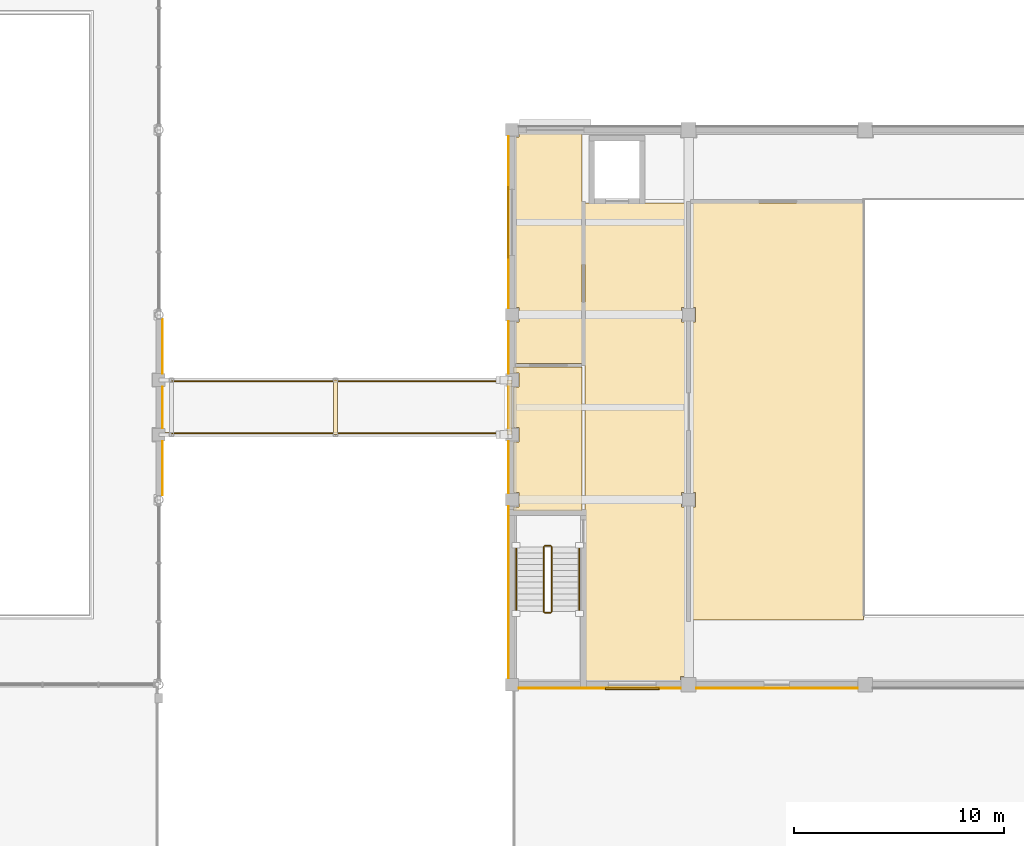
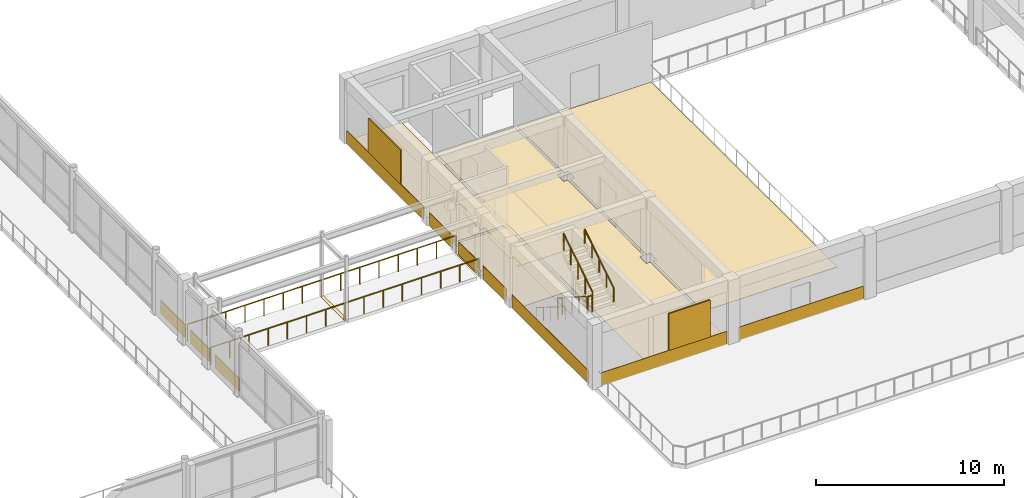
# One storey, part 45 of 57: 17 coverings, 8 railings, 2 shading devices.
"""IFC4 building model written with IfcOpenShell, lengths in metres."""

from ifc_helpers import new_model, si_unit, direction, frame, origin, origin_2d, place, context, subcontext, project, spatial, polyline, rectangle, circle, outline, extrude, material, layer, layer_set, type_object, element, save


model = new_model("IFC4")

# Units and contexts
model_context = context("Model", 3, precision=1e-05, world=origin(), true_north=direction((0.0, 1.0)))
body_context = subcontext(model_context, "Body", "Model", "MODEL_VIEW")
ifc_project = project(units=[si_unit("LENGTHUNIT", "METRE"), si_unit("AREAUNIT", "SQUARE_METRE"), si_unit("VOLUMEUNIT", "CUBIC_METRE"), si_unit("PLANEANGLEUNIT", "RADIAN"), si_unit("MASSUNIT", "GRAM", prefix="KILO")], contexts=[model_context])

# Site, building, storey
site_placement = place(None, origin())
site = spatial("IfcSite", under=ifc_project, at=site_placement, CompositionType="ELEMENT")
building_placement = place(site_placement, origin())
building = spatial("IfcBuilding", under=site, at=building_placement, Name="Kemercrest Conservatory and Botanical Centre", CompositionType="ELEMENT")
storey_placement = place(building_placement, frame((0.0, 0.0, 4.800048828125)))
storey = spatial("IfcBuildingStorey", under=building, at=storey_placement, Name="L01", CompositionType="ELEMENT", Elevation=4.800048828125)

# Coverings
ifc_material_1 = material(Name="Glazed turquoise ceramic tile spandrel", Category="masonry")
ifc_layer_1 = layer(ifc_material_1, 0.028076171875)
ifc_layer_set_1 = layer_set([ifc_layer_1], Name="Glazed turquoise ceramic tile spandrel")
covering_type_1 = type_object("IfcCoveringType", Name="CV-CLD028", PredefinedType="CLADDING", material=ifc_layer_set_1)
covering_1_placement = place(storey_placement, origin())
element("IfcCovering", 1, at=covering_1_placement, inside=storey, type_object=covering_type_1, Name="Exterior stone spandrel cladding (WAL:L01:EXT-037)", PredefinedType="CLADDING", context=body_context, shape_type="SweptSolid", body=[
    extrude(outline(polyline([(58.7099609375, 16.64990234375), (58.7099609375, 16.6220703125), (66.43994140625, 16.6220703125), (66.43994140625, 16.64990234375), (58.7099609375, 16.64990234375)])), origin(), (0.0, 0.0, 1.0), 0.849853515625),
])
covering_2_placement = place(storey_placement, origin())
element("IfcCovering", 2, at=covering_2_placement, inside=storey, type_object=covering_type_1, Name="Exterior stone spandrel cladding (WAL:L01:EXT-038)", PredefinedType="CLADDING", context=body_context, shape_type="SweptSolid", body=[
    extrude(outline(polyline([(67.159912109375, 16.64990234375), (67.159912109375, 16.6220703125), (74.840087890625, 16.6220703125), (74.840087890625, 16.64990234375), (67.159912109375, 16.64990234375)])), origin(), (0.0, 0.0, 1.0), 0.849853515625),
])
covering_3_placement = place(storey_placement, origin())
element("IfcCovering", 3, at=covering_3_placement, inside=storey, type_object=covering_type_1, Name="Exterior stone spandrel cladding (WAL:L01:EXT-050)", PredefinedType="CLADDING", context=body_context, shape_type="SweptSolid", body=[
    extrude(outline(polyline([(58.25, 42.889892578125), (58.221923828125, 42.889892578125), (58.221923828125, 34.7099609375), (58.25, 34.7099609375), (58.25, 42.889892578125)])), origin(), (0.0, 0.0, 1.0), 0.849853515625),
])
covering_4_placement = place(storey_placement, origin())
element("IfcCovering", 4, at=covering_4_placement, inside=storey, type_object=covering_type_1, Name="Exterior stone spandrel cladding (WAL:L01:EXT-051-S1)", PredefinedType="CLADDING", context=body_context, shape_type="SweptSolid", body=[
    extrude(outline(polyline([(58.25, 34.090087890625), (58.221923828125, 34.090087890625), (58.221923828125, 31.610107421875), (58.25, 31.610107421875), (58.25, 34.090087890625)])), origin(), (0.0, 0.0, 1.0), 0.849853515625),
])
covering_5_placement = place(storey_placement, origin())
element("IfcCovering", 5, at=covering_5_placement, inside=storey, type_object=covering_type_1, Name="Exterior stone spandrel cladding (WAL:L01:EXT-051-S2)", PredefinedType="CLADDING", context=body_context, shape_type="SweptSolid", body=[
    extrude(outline(polyline([(58.25, 30.989990234375), (58.221923828125, 30.989990234375), (58.221923828125, 29.010009765625), (58.25, 29.010009765625), (58.25, 30.989990234375)])), origin(), (0.0, 0.0, 1.0), 0.849853515625),
])
covering_6_placement = place(storey_placement, origin())
element("IfcCovering", 6, at=covering_6_placement, inside=storey, type_object=covering_type_1, Name="Exterior stone spandrel cladding (WAL:L01:EXT-051-S3)", PredefinedType="CLADDING", context=body_context, shape_type="SweptSolid", body=[
    extrude(outline(polyline([(58.25, 28.389892578125), (58.221923828125, 28.389892578125), (58.221923828125, 25.909912109375), (58.25, 25.909912109375), (58.25, 28.389892578125)])), origin(), (0.0, 0.0, 1.0), 0.849853515625),
])
covering_7_placement = place(storey_placement, origin())
element("IfcCovering", 7, at=covering_7_placement, inside=storey, type_object=covering_type_1, Name="Exterior stone spandrel cladding (WAL:L01:EXT-052)", PredefinedType="CLADDING", context=body_context, shape_type="SweptSolid", body=[
    extrude(outline(polyline([(58.25, 25.2900390625), (58.221923828125, 25.2900390625), (58.221923828125, 17.110107421875), (58.25, 17.110107421875), (58.25, 25.2900390625)])), origin(), (0.0, 0.0, 1.0), 0.849853515625),
])
ifc_material_2 = material(Name="Honed limestone almasik ashlar rainscreen", Category="masonry")
ifc_layer_2 = layer(ifc_material_2, 0.0400390625)
ifc_layer_set_2 = layer_set([ifc_layer_2], Name="Honed limestone almasik ashlar rainscreen")
covering_type_2 = type_object("IfcCoveringType", Name="CV-CLD040", PredefinedType="CLADDING", material=ifc_layer_set_2)
covering_8_placement = place(storey_placement, origin())
element("IfcCovering", 8, at=covering_8_placement, inside=storey, type_object=covering_type_2, Name="Exterior stone spandrel cladding (WAL:L01:EXT-014-S1)", PredefinedType="CLADDING", context=body_context, shape_type="SweptSolid", body=[
    extrude(outline(polyline([(41.75, 25.813232421875), (41.7900390625, 25.813232421875), (41.7900390625, 28.389892578125), (41.75, 28.389892578125), (41.75, 25.813232421875)])), origin(), (0.0, 0.0, 1.0), 0.849853515625),
])
covering_9_placement = place(storey_placement, origin())
element("IfcCovering", 9, at=covering_9_placement, inside=storey, type_object=covering_type_2, Name="Exterior stone spandrel cladding (WAL:L01:EXT-014-S2)", PredefinedType="CLADDING", context=body_context, shape_type="SweptSolid", body=[
    extrude(outline(polyline([(41.75, 29.010009765625), (41.7900390625, 29.010009765625), (41.7900390625, 30.989990234375), (41.75, 30.989990234375), (41.75, 29.010009765625)])), origin(), (0.0, 0.0, 1.0), 0.849853515625),
])
covering_10_placement = place(storey_placement, origin())
element("IfcCovering", 10, at=covering_10_placement, inside=storey, type_object=covering_type_2, Name="Exterior stone spandrel cladding (WAL:L01:EXT-014-S3)", PredefinedType="CLADDING", context=body_context, shape_type="SweptSolid", body=[
    extrude(outline(polyline([(41.75, 31.610107421875), (41.7900390625, 31.610107421875), (41.7900390625, 34.186767578125), (41.75, 34.186767578125), (41.75, 31.610107421875)])), origin(), (0.0, 0.0, 1.0), 0.849853515625),
])
ifc_material_3 = material(Name="Perforated acoustic gypsum and mineral-fibre suspended ceiling", Category="gypsum")
ifc_layer_3 = layer(ifc_material_3, 0.034912109375)
ifc_layer_set_3 = layer_set([ifc_layer_3], Name="Perforated acoustic gypsum and mineral-fibre suspended ceiling")
covering_type_3 = type_object("IfcCoveringType", Name="CV-CLG035", PredefinedType="CEILING", material=ifc_layer_set_3)
covering_11_placement = place(storey_placement, frame((0.0, 0.0, 2.699951171875)))
element("IfcCovering", 11, at=covering_11_placement, inside=storey, type_object=covering_type_3, Name="West Upper Stair Lobby suspended acoustic ceiling", PredefinedType="CEILING", context=body_context, shape_type="SweptSolid", body=[
    extrude(outline(polyline([(58.47998046875, 25.080078125), (61.719970703125, 25.080078125), (61.719970703125, 31.919921875), (58.47998046875, 31.919921875), (58.47998046875, 31.639892578125), (58.739990234375, 31.639892578125), (58.739990234375, 30.9599609375), (58.47998046875, 30.9599609375), (58.47998046875, 29.0400390625), (58.739990234375, 29.0400390625), (58.739990234375, 28.360107421875), (58.47998046875, 28.360107421875), (58.47998046875, 25.93994140625), (58.739990234375, 25.93994140625), (58.739990234375, 25.260009765625), (58.47998046875, 25.260009765625), (58.47998046875, 25.080078125)])), origin(), (0.0, 0.0, 1.0), 0.034912109375),
])
ifc_material_4 = material(Name="Polished limestone terrazzo and seamless laboratory epoxy flooring", Category="masonry")
ifc_layer_4 = layer(ifc_material_4, 0.02001953125)
ifc_layer_set_4 = layer_set([ifc_layer_4], Name="Polished limestone terrazzo and seamless laboratory epoxy flooring")
covering_type_4 = type_object("IfcCoveringType", Name="CV-FLR020", PredefinedType="FLOORING", material=ifc_layer_set_4)
covering_12_placement = place(storey_placement, origin())
element("IfcCovering", 12, at=covering_12_placement, inside=storey, type_object=covering_type_4, Name="Upper Auditorium Concourse Corridor terrazzo floor finish", PredefinedType="FLOORING", context=body_context, shape_type="SweptSolid", body=[
    extrude(outline(polyline([(61.8798828125, 16.8798828125), (66.409912109375, 16.8798828125), (66.409912109375, 17.18994140625), (66.719970703125, 17.18994140625), (66.719970703125, 25.260009765625), (66.4599609375, 25.260009765625), (66.4599609375, 25.93994140625), (66.719970703125, 25.93994140625), (66.719970703125, 34.06005859375), (66.4599609375, 34.06005859375), (66.4599609375, 34.739990234375), (66.719970703125, 34.739990234375), (66.719970703125, 39.719970703125), (61.8798828125, 39.719970703125), (61.8798828125, 16.8798828125)])), origin(), (0.0, 0.0, 1.0), 0.02001953125),
])
covering_13_placement = place(storey_placement, origin())
element("IfcCovering", 13, at=covering_13_placement, inside=storey, type_object=covering_type_4, Name="West Upper Stair Lobby floor finish", PredefinedType="FLOORING", context=body_context, shape_type="SweptSolid", body=[
    extrude(outline(polyline([(58.47998046875, 25.080078125), (61.719970703125, 25.080078125), (61.719970703125, 31.919921875), (58.47998046875, 31.919921875), (58.47998046875, 31.639892578125), (58.739990234375, 31.639892578125), (58.739990234375, 30.9599609375), (58.47998046875, 30.9599609375), (58.47998046875, 29.0400390625), (58.739990234375, 29.0400390625), (58.739990234375, 28.360107421875), (58.47998046875, 28.360107421875), (58.47998046875, 25.93994140625), (58.739990234375, 25.93994140625), (58.739990234375, 25.260009765625), (58.47998046875, 25.260009765625), (58.47998046875, 25.080078125)])), origin(), (0.0, 0.0, 1.0), 0.02001953125),
])
covering_14_placement = place(storey_placement, origin())
element("IfcCovering", 14, at=covering_14_placement, inside=storey, type_object=covering_type_4, Name="Upper Auditorium Accessible Washroom terrazzo floor finish", PredefinedType="FLOORING", context=body_context, shape_type="SweptSolid", body=[
    extrude(outline(polyline([(58.47998046875, 32.080078125), (61.719970703125, 32.080078125), (61.719970703125, 43.1201171875), (58.739990234375, 43.1201171875), (58.739990234375, 42.860107421875), (58.47998046875, 42.860107421875), (58.47998046875, 34.739990234375), (58.739990234375, 34.739990234375), (58.739990234375, 34.06005859375), (58.47998046875, 34.06005859375), (58.47998046875, 32.080078125)])), origin(), (0.0, 0.0, 1.0), 0.02001953125),
])
covering_15_placement = place(storey_placement, origin())
element("IfcCovering", 15, at=covering_15_placement, inside=storey, type_object=covering_type_4, Name="Auditorium Seating Gallery terrazzo floor finish", PredefinedType="FLOORING", context=body_context, shape_type="SweptSolid", body=[
    extrude(outline(polyline([(66.8798828125, 19.8798828125), (75.1201171875, 19.8798828125), (75.1201171875, 39.719970703125), (66.8798828125, 39.719970703125), (66.8798828125, 34.739990234375), (67.139892578125, 34.739990234375), (67.139892578125, 34.06005859375), (66.8798828125, 34.06005859375), (66.8798828125, 25.93994140625), (67.139892578125, 25.93994140625), (67.139892578125, 25.260009765625), (66.8798828125, 25.260009765625), (66.8798828125, 19.8798828125)])), origin(), (0.0, 0.0, 1.0), 0.02001953125),
])
covering_16_placement = place(storey_placement, frame((0.0, 0.0, -0.02001953125)))
element("IfcCovering", 16, at=covering_16_placement, inside=storey, type_object=covering_type_4, Name="Seismic bridge SJ-1 architectural floor slide plate", PredefinedType="FLOORING", context=body_context, shape_type="SweptSolid", body=[
    extrude(outline(polyline([(49.89990234375, 28.699951171875), (50.10009765625, 28.699951171875), (50.10009765625, 31.300048828125), (49.89990234375, 31.300048828125), (49.89990234375, 28.699951171875)])), origin(), (0.0, 0.0, 1.0), 0.02001953125),
])
covering_17_placement = place(storey_placement, frame((0.0, 0.0, -0.02001953125)))
element("IfcCovering", 17, at=covering_17_placement, inside=storey, type_object=covering_type_4, Name="Seismic bridge SJ-1 architectural floor slide plate", PredefinedType="FLOORING", context=body_context, shape_type="SweptSolid", body=[
    extrude(outline(polyline([(58.14990234375, 28.699951171875), (58.39990234375, 28.699951171875), (58.39990234375, 31.300048828125), (58.14990234375, 31.300048828125), (58.14990234375, 28.699951171875)])), origin(), (0.0, 0.0, 1.0), 0.02001953125),
])

# Railings
ifc_material_5 = material(Name="Architectural bronze-anodized steel balustrade", Category="steel")
railing_type_1 = type_object("IfcRailingType", Name="GR-BRG112", PredefinedType="GUARDRAIL", material=ifc_material_5)
railing_1_placement = place(storey_placement, frame((41.699951171875, 28.760009765625, 0.0)))
element("IfcRailing", 18, at=railing_1_placement, inside=storey, type_object=railing_type_1, Name="Seismic bridge SJ-1 side guardrail 1", PredefinedType="GUARDRAIL", context=body_context, shape_type="SweptSolid", body=[
    extrude(circle(Radius=0.02392578125, at=origin_2d()), frame((0.0, 0.0, 1.09619140625), z_axis=(1.0, 0.0, 0.0), x_axis=(0.0, 1.0, 0.0)), (0.0, 0.0, 1.0), 16.5),
    extrude(circle(Radius=0.02099609375, at=origin_2d()), origin(), (0.0, 0.0, 1.0), 1.072021484375),
    extrude(circle(Radius=0.02099609375, at=origin_2d()), frame((1.178466796875, 0.0, 0.0)), (0.0, 0.0, 1.0), 1.072021484375),
    extrude(circle(Radius=0.02099609375, at=origin_2d()), frame((2.357177734375, 0.0, 0.0)), (0.0, 0.0, 1.0), 1.072021484375),
    extrude(circle(Radius=0.02099609375, at=origin_2d()), frame((3.53564453125, 0.0, 0.0)), (0.0, 0.0, 1.0), 1.072021484375),
    extrude(circle(Radius=0.02099609375, at=origin_2d()), frame((4.71435546875, 0.0, 0.0)), (0.0, 0.0, 1.0), 1.072021484375),
    extrude(circle(Radius=0.02099609375, at=origin_2d()), frame((5.892822265625, 0.0, 0.0)), (0.0, 0.0, 1.0), 1.072021484375),
    extrude(circle(Radius=0.02099609375, at=origin_2d()), frame((7.071533203125, 0.0, 0.0)), (0.0, 0.0, 1.0), 1.072021484375),
    extrude(circle(Radius=0.02099609375, at=origin_2d()), frame((8.25, 0.0, 0.0)), (0.0, 0.0, 1.0), 1.072021484375),
    extrude(circle(Radius=0.02099609375, at=origin_2d()), frame((9.428466796875, 0.0, 0.0)), (0.0, 0.0, 1.0), 1.072021484375),
    extrude(circle(Radius=0.02099609375, at=origin_2d()), frame((10.607177734375, 0.0, 0.0)), (0.0, 0.0, 1.0), 1.072021484375),
    extrude(circle(Radius=0.02099609375, at=origin_2d()), frame((11.78564453125, 0.0, 0.0)), (0.0, 0.0, 1.0), 1.072021484375),
    extrude(circle(Radius=0.02099609375, at=origin_2d()), frame((12.96435546875, 0.0, 0.0)), (0.0, 0.0, 1.0), 1.072021484375),
    extrude(circle(Radius=0.02099609375, at=origin_2d()), frame((14.142822265625, 0.0, 0.0)), (0.0, 0.0, 1.0), 1.072021484375),
    extrude(circle(Radius=0.02099609375, at=origin_2d()), frame((15.321533203125, 0.0, 0.0)), (0.0, 0.0, 1.0), 1.072021484375),
    extrude(circle(Radius=0.02099609375, at=origin_2d()), frame((16.5, 0.0, 0.0)), (0.0, 0.0, 1.0), 1.072021484375),
])
railing_2_placement = place(storey_placement, frame((41.699951171875, 31.239990234375, 0.0)))
element("IfcRailing", 19, at=railing_2_placement, inside=storey, type_object=railing_type_1, Name="Seismic bridge SJ-1 side guardrail 2", PredefinedType="GUARDRAIL", context=body_context, shape_type="SweptSolid", body=[
    extrude(circle(Radius=0.02392578125, at=origin_2d()), frame((0.0, 0.0, 1.09619140625), z_axis=(1.0, 0.0, 0.0), x_axis=(0.0, 1.0, 0.0)), (0.0, 0.0, 1.0), 16.5),
    extrude(circle(Radius=0.02099609375, at=origin_2d()), origin(), (0.0, 0.0, 1.0), 1.072021484375),
    extrude(circle(Radius=0.02099609375, at=origin_2d()), frame((1.178466796875, 0.0, 0.0)), (0.0, 0.0, 1.0), 1.072021484375),
    extrude(circle(Radius=0.02099609375, at=origin_2d()), frame((2.357177734375, 0.0, 0.0)), (0.0, 0.0, 1.0), 1.072021484375),
    extrude(circle(Radius=0.02099609375, at=origin_2d()), frame((3.53564453125, 0.0, 0.0)), (0.0, 0.0, 1.0), 1.072021484375),
    extrude(circle(Radius=0.02099609375, at=origin_2d()), frame((4.71435546875, 0.0, 0.0)), (0.0, 0.0, 1.0), 1.072021484375),
    extrude(circle(Radius=0.02099609375, at=origin_2d()), frame((5.892822265625, 0.0, 0.0)), (0.0, 0.0, 1.0), 1.072021484375),
    extrude(circle(Radius=0.02099609375, at=origin_2d()), frame((7.071533203125, 0.0, 0.0)), (0.0, 0.0, 1.0), 1.072021484375),
    extrude(circle(Radius=0.02099609375, at=origin_2d()), frame((8.25, 0.0, 0.0)), (0.0, 0.0, 1.0), 1.072021484375),
    extrude(circle(Radius=0.02099609375, at=origin_2d()), frame((9.428466796875, 0.0, 0.0)), (0.0, 0.0, 1.0), 1.072021484375),
    extrude(circle(Radius=0.02099609375, at=origin_2d()), frame((10.607177734375, 0.0, 0.0)), (0.0, 0.0, 1.0), 1.072021484375),
    extrude(circle(Radius=0.02099609375, at=origin_2d()), frame((11.78564453125, 0.0, 0.0)), (0.0, 0.0, 1.0), 1.072021484375),
    extrude(circle(Radius=0.02099609375, at=origin_2d()), frame((12.96435546875, 0.0, 0.0)), (0.0, 0.0, 1.0), 1.072021484375),
    extrude(circle(Radius=0.02099609375, at=origin_2d()), frame((14.142822265625, 0.0, 0.0)), (0.0, 0.0, 1.0), 1.072021484375),
    extrude(circle(Radius=0.02099609375, at=origin_2d()), frame((15.321533203125, 0.0, 0.0)), (0.0, 0.0, 1.0), 1.072021484375),
    extrude(circle(Radius=0.02099609375, at=origin_2d()), frame((16.5, 0.0, 0.0)), (0.0, 0.0, 1.0), 1.072021484375),
])
ifc_material_6 = material(Name="Painted galvanized steel tubular stair guardrail", Category="steel")
railing_type_2 = type_object("IfcRailingType", Name="GR-STR110", PredefinedType="GUARDRAIL", material=ifc_material_6)
railing_3_placement = place(storey_placement, frame((59.909912109375, 23.360107421875, 0.175048828125)))
element("IfcRailing", 20, at=railing_3_placement, inside=storey, type_object=railing_type_2, Name="L01 ST-V2A stair guard 1", PredefinedType="GUARDRAIL", context=body_context, shape_type="SweptSolid", body=[
    extrude(circle(Radius=0.02392578125, at=origin_2d()), frame((0.0, 0.0, 1.076171875), z_axis=(0.0, -0.848028513186, 0.529950602248), x_axis=(1.0, 0.0, 0.0)), (0.0, 0.0, 1.0), 3.632080078125),
    extrude(circle(Radius=0.02099609375, at=origin_2d()), origin(), (0.0, 0.0, 1.0), 1.052001953125),
    extrude(circle(Radius=0.02099609375, at=origin_2d()), frame((0.0, -0.77001953125, 0.481201171875)), (0.0, 0.0, 1.0), 1.052001953125),
    extrude(circle(Radius=0.02099609375, at=origin_2d()), frame((0.0, -1.5400390625, 0.96240234375)), (0.0, 0.0, 1.0), 1.052001953125),
    extrude(circle(Radius=0.02099609375, at=origin_2d()), frame((0.0, -2.31005859375, 1.443603515625)), (0.0, 0.0, 1.0), 1.052001953125),
    extrude(circle(Radius=0.02099609375, at=origin_2d()), frame((0.0, -3.080078125, 1.9248046875)), (0.0, 0.0, 1.0), 1.052001953125),
])
railing_4_placement = place(storey_placement, frame((59.9599609375, 20.22998046875, 2.099853515625)))
element("IfcRailing", 21, at=railing_4_placement, inside=storey, type_object=railing_type_2, Name="L01 ST-V2A stair guard 2", PredefinedType="GUARDRAIL", context=body_context, shape_type="SweptSolid", body=[
    extrude(circle(Radius=0.02392578125, at=origin_2d()), frame((0.0, 0.0, 1.076171875), z_axis=(1.0, 0.0, 0.0), x_axis=(0.0, 1.0, 0.0)), (0.0, 0.0, 1.0), 0.280029296875),
    extrude(circle(Radius=0.02099609375, at=origin_2d()), origin(), (0.0, 0.0, 1.0), 1.052001953125),
    extrude(circle(Radius=0.02099609375, at=origin_2d()), frame((0.280029296875, 0.0, 0.0)), (0.0, 0.0, 1.0), 1.052001953125),
])
railing_5_placement = place(storey_placement, frame((60.2900390625, 20.280029296875, 2.27490234375)))
element("IfcRailing", 22, at=railing_5_placement, inside=storey, type_object=railing_type_2, Name="L01 ST-V2A stair guard 3", PredefinedType="GUARDRAIL", context=body_context, shape_type="SweptSolid", body=[
    extrude(circle(Radius=0.02392578125, at=origin_2d()), frame((0.0, 0.0, 1.076171875), z_axis=(0.0, 0.847998304005, 0.529998940003), x_axis=(-1.0, 0.0, 0.0)), (0.0, 0.0, 1.0), 3.632080078125),
    extrude(circle(Radius=0.02099609375, at=origin_2d()), origin(), (0.0, 0.0, 1.0), 1.052001953125),
    extrude(circle(Radius=0.02099609375, at=origin_2d()), frame((0.0, 0.77001953125, 0.481201171875)), (0.0, 0.0, 1.0), 1.052001953125),
    extrude(circle(Radius=0.02099609375, at=origin_2d()), frame((0.0, 1.5400390625, 0.96240234375)), (0.0, 0.0, 1.0), 1.052001953125),
    extrude(circle(Radius=0.02099609375, at=origin_2d()), frame((0.0, 2.31005859375, 1.44384765625)), (0.0, 0.0, 1.0), 1.052001953125),
    extrude(circle(Radius=0.02099609375, at=origin_2d()), frame((0.0, 3.080078125, 1.925048828125)), (0.0, 0.0, 1.0), 1.052001953125),
])
railing_6_placement = place(storey_placement, frame((59.9599609375, 23.409912109375, 0.0)))
element("IfcRailing", 23, at=railing_6_placement, inside=storey, type_object=railing_type_2, Name="L01 ST-V2A stair guard 4", PredefinedType="GUARDRAIL", context=body_context, shape_type="SweptSolid", body=[
    extrude(circle(Radius=0.02392578125, at=origin_2d()), frame((0.0, 0.0, 1.076171875), z_axis=(1.0, 0.0, 0.0), x_axis=(0.0, 1.0, 0.0)), (0.0, 0.0, 1.0), 0.280029296875),
    extrude(circle(Radius=0.02099609375, at=origin_2d()), origin(), (0.0, 0.0, 1.0), 1.052001953125),
    extrude(circle(Radius=0.02099609375, at=origin_2d()), frame((0.280029296875, 0.0, 0.0)), (0.0, 0.0, 1.0), 1.052001953125),
])
ifc_material_7 = material(Name="Brushed stainless steel wall-mounted handrail", Category="steel")
railing_type_3 = type_object("IfcRailingType", Name="HR-STR090", PredefinedType="HANDRAIL", material=ifc_material_7)
railing_7_placement = place(storey_placement, frame((58.610107421875, 23.360107421875, 0.175048828125)))
element("IfcRailing", 24, at=railing_7_placement, inside=storey, type_object=railing_type_3, Name="L01 ST-V2A stair handrail 1", PredefinedType="HANDRAIL", context=body_context, shape_type="SweptSolid", body=[
    extrude(circle(Radius=0.02392578125, at=origin_2d()), frame((0.0, 0.0, 0.8759765625), z_axis=(0.0, -0.848028513186, 0.529950602248), x_axis=(1.0, 0.0, 0.0)), (0.0, 0.0, 1.0), 3.632080078125),
    extrude(circle(Radius=0.02099609375, at=origin_2d()), origin(), (0.0, 0.0, 1.0), 0.851806640625),
    extrude(circle(Radius=0.02099609375, at=origin_2d()), frame((0.0, -0.77001953125, 0.481201171875)), (0.0, 0.0, 1.0), 0.851806640625),
    extrude(circle(Radius=0.02099609375, at=origin_2d()), frame((0.0, -1.5400390625, 0.96240234375)), (0.0, 0.0, 1.0), 0.851806640625),
    extrude(circle(Radius=0.02099609375, at=origin_2d()), frame((0.0, -2.31005859375, 1.443603515625)), (0.0, 0.0, 1.0), 0.851806640625),
    extrude(circle(Radius=0.02099609375, at=origin_2d()), frame((0.0, -3.080078125, 1.9248046875)), (0.0, 0.0, 1.0), 0.851806640625),
])
railing_8_placement = place(storey_placement, frame((61.590087890625, 20.280029296875, 2.27490234375)))
element("IfcRailing", 25, at=railing_8_placement, inside=storey, type_object=railing_type_3, Name="L01 ST-V2A stair handrail 2", PredefinedType="HANDRAIL", context=body_context, shape_type="SweptSolid", body=[
    extrude(circle(Radius=0.02392578125, at=origin_2d()), frame((0.0, 0.0, 0.8759765625), z_axis=(0.0, 0.847998304005, 0.529998940003), x_axis=(-1.0, 0.0, 0.0)), (0.0, 0.0, 1.0), 3.632080078125),
    extrude(circle(Radius=0.02099609375, at=origin_2d()), origin(), (0.0, 0.0, 1.0), 0.851806640625),
    extrude(circle(Radius=0.02099609375, at=origin_2d()), frame((0.0, 0.77001953125, 0.481201171875)), (0.0, 0.0, 1.0), 0.851806640625),
    extrude(circle(Radius=0.02099609375, at=origin_2d()), frame((0.0, 1.5400390625, 0.96240234375)), (0.0, 0.0, 1.0), 0.851806640625),
    extrude(circle(Radius=0.02099609375, at=origin_2d()), frame((0.0, 2.31005859375, 1.44384765625)), (0.0, 0.0, 1.0), 0.851806640625),
    extrude(circle(Radius=0.02099609375, at=origin_2d()), frame((0.0, 3.080078125, 1.925048828125)), (0.0, 0.0, 1.0), 0.851806640625),
])

# Shading devices
ifc_material_8 = material(Name="Perforated bronze-anodized aluminium", Category="aluminium")
shading_device_type_1 = type_object("IfcShadingDeviceType", Name="SH-MS01", PredefinedType="USERDEFINED", material=ifc_material_8)
shading_device_1_placement = place(storey_placement, frame((58.2119140625, 38.800048828125, 0.919921875), z_axis=(0.0, 0.0, 1.0), x_axis=(0.0, -1.0, 0.0)))
element("IfcShadingDevice", 26, at=shading_device_1_placement, inside=storey, type_object=shading_device_type_1, Name="Ottoman mashrabiya perforated screen SH-MS01 (WIN:L01:EXT-050)", ObjectType="MASHRABIYA SCREEN", PredefinedType="USERDEFINED", context=body_context, shape_type="SweptSolid", body=[
    extrude(rectangle(XDim=3.419921875, YDim=0.080078125, at=origin_2d()), origin(), (0.0, 0.0, 1.0), 2.199951171875),
])
shading_device_type_2 = type_object("IfcShadingDeviceType", Name="SH-MS03", PredefinedType="USERDEFINED", material=ifc_material_8)
shading_device_2_placement = place(storey_placement, frame((64.1201171875, 16.612060546875, 0.8798828125), z_axis=(0.0, 0.0, 1.0), x_axis=(1.0, 0.0, 0.0)))
element("IfcShadingDevice", 27, at=shading_device_2_placement, inside=storey, type_object=shading_device_type_2, Name="Ottoman mashrabiya perforated screen SH-MS03 (WIN:L01:EXT-037)", ObjectType="MASHRABIYA SCREEN", PredefinedType="USERDEFINED", context=body_context, shape_type="SweptSolid", body=[
    extrude(rectangle(XDim=2.56005859375, YDim=0.080078125, at=origin_2d()), origin(), (0.0, 0.0, 1.0), 2.39990234375),
])

save(model, "model.ifc")
